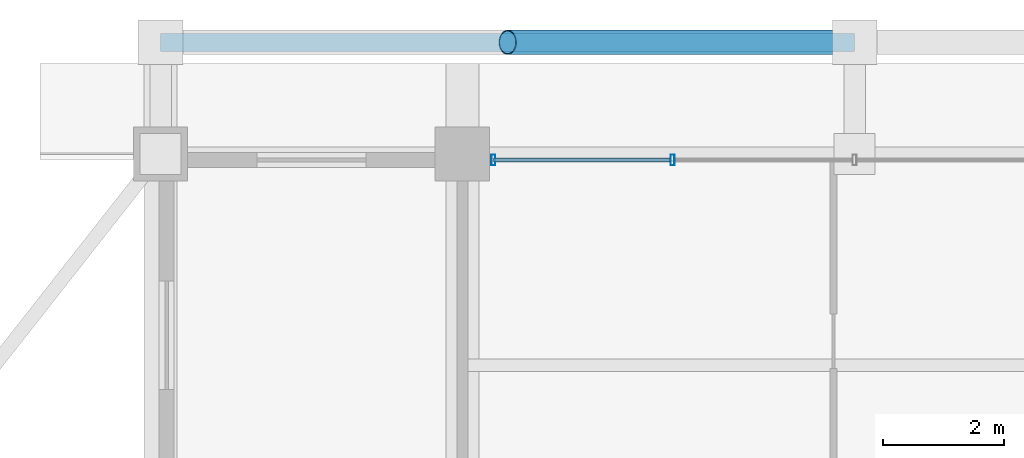
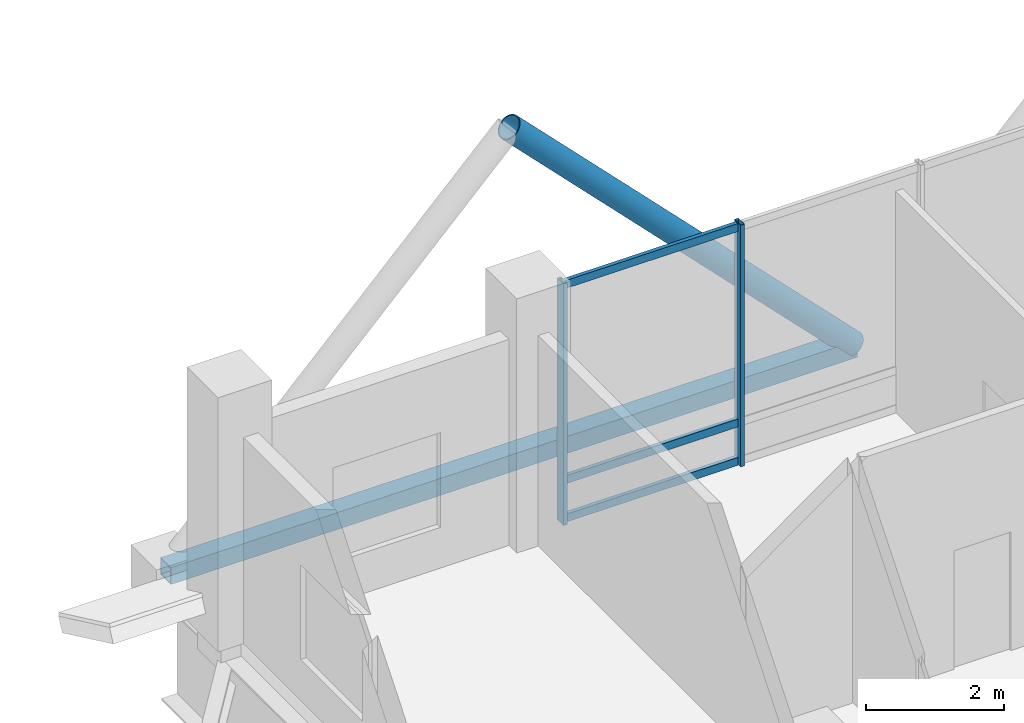
# One storey, part 16 of 27: 7 members, 1 element without a shape of its own.
"""IFC4 building model written with IfcOpenShell, lengths in metres."""

import ifcopenshell
import ifcopenshell.guid

model = None  # the IFC model being written
_history = None  # IfcOwnerHistory: only IFC2X3 demands one
_inside = {}  # id of a spatial element -> (the spatial element, [elements in it])
_under = {}  # id of a project, library or spatial element -> (it, [spatial elements below it])
_declared = {}  # id of a project -> (the project, [libraries it declares])
_typed = {}  # id of a type object -> (the type object, [elements of that type])
_made_of = {}  # id of a material, layer set ... -> (it, [elements and type objects made of it])


def new_model(schema):
    """Start an empty IFC model of exactly this schema.

    Asked for "IFC4X3", IfcOpenShell would pick the latest addendum, in which some entities
    have other attributes; the version numbers below select the first issue.
    IFC2X3 requires an IfcOwnerHistory on every rooted entity: one is made here for all.
    """
    global model, _history
    if schema == "IFC4X3":
        model = ifcopenshell.file(schema_version=(4, 3, 0, 0))
    else:
        model = ifcopenshell.file(schema=schema)
    _inside.clear()
    _under.clear()
    _declared.clear()
    _typed.clear()
    _made_of.clear()
    _history = None
    if model.schema == "IFC2X3":
        org = make("IfcOrganization", Name="unknown")
        user = make(
            "IfcPersonAndOrganization",
            ThePerson=make("IfcPerson", FamilyName="unknown"),
            TheOrganization=org,
        )
        app = make(
            "IfcApplication",
            ApplicationDeveloper=org,
            Version="unknown",
            ApplicationFullName="unknown",
            ApplicationIdentifier="unknown",
        )
        _history = make(
            "IfcOwnerHistory",
            OwningUser=user,
            OwningApplication=app,
            ChangeAction="ADDED",
            CreationDate=0,
        )
    return model


def make(cls, **values):
    """One entity of the class cls with the attributes given. An attribute that is None is left unset."""
    return model.create_entity(
        cls, **{name: value for name, value in values.items() if value is not None}
    )


def rooted(cls, **values):
    """An entity with a GlobalId (a new one), such as an element, a storey or a relation."""
    return make(cls, GlobalId=ifcopenshell.guid.new(), OwnerHistory=_history, **values)


def si_unit(unit_type, name, prefix=None):
    """IfcSIUnit, for example si_unit("LENGTHUNIT", "METRE", prefix="MILLI")."""
    return make("IfcSIUnit", UnitType=unit_type, Prefix=prefix, Name=name)


def assignment(units):
    """IfcUnitAssignment: the units of a project."""
    return None if units is None else make("IfcUnitAssignment", Units=units)


def point(xyz):
    """IfcCartesianPoint."""
    return None if xyz is None else make("IfcCartesianPoint", Coordinates=xyz)


def direction(xyz):
    """IfcDirection."""
    return None if xyz is None else make("IfcDirection", DirectionRatios=xyz)


def frame(location, z_axis=None, x_axis=None):
    """IfcAxis2Placement3D, a coordinate frame: its origin and axes. An axis left out is left unset."""
    return make(
        "IfcAxis2Placement3D",
        Location=point(location),
        Axis=direction(z_axis),
        RefDirection=direction(x_axis),
    )


def frame_2d(location, x_axis=None):
    """IfcAxis2Placement2D, a coordinate frame in the plane: its origin and x axis."""
    return make(
        "IfcAxis2Placement2D", Location=point(location), RefDirection=direction(x_axis)
    )


def origin():
    """The frame at (0, 0, 0) with its axes left unset."""
    return frame((0.0, 0.0, 0.0))


def origin_2d():
    """The frame at (0, 0) in the plane with its x axis left unset."""
    return frame_2d((0.0, 0.0))


def place(relative_to, where):
    """IfcLocalPlacement: puts the frame where relative to a parent placement (None: the world)."""
    return make(
        "IfcLocalPlacement", PlacementRelTo=relative_to, RelativePlacement=where
    )


def context(
    kind, dimensions, precision=None, world=None, true_north=None, identifier=None
):
    """IfcGeometricRepresentationContext, for example the 3D "Model" context."""
    return make(
        "IfcGeometricRepresentationContext",
        ContextIdentifier=identifier,
        ContextType=kind,
        CoordinateSpaceDimension=dimensions,
        Precision=precision,
        WorldCoordinateSystem=world,
        TrueNorth=true_north,
    )


def subcontext(parent, identifier, kind, view, scale=None):
    """IfcGeometricRepresentationSubContext, for example "Body" below "Model"."""
    return make(
        "IfcGeometricRepresentationSubContext",
        ContextIdentifier=identifier,
        ContextType=kind,
        ParentContext=parent,
        TargetScale=scale,
        TargetView=view,
    )


def project(units=None, contexts=None):
    """IfcProject with its units and contexts."""
    return rooted(
        "IfcProject",
        Name="project",
        RepresentationContexts=contexts,
        UnitsInContext=assignment(units),
    )


def spatial(cls, under=None, at=None, **own):
    """A site, building, storey or space (cls), placed at a placement, below another one or the project."""
    s = rooted(cls, ObjectPlacement=at, **own)
    if under is not None:
        _under.setdefault(under.id(), (under, []))[1].append(s)
    return s


def profile(cls, at=None, kind="AREA", **sizes):
    """A parametric profile (cls). Its sizes go by their IFC names, for example OverallWidth=200.0."""
    return make(cls, ProfileType=kind, Position=at, **sizes)


def hollow_rectangle(**sizes):
    """IfcRectangleHollowProfileDef."""
    return profile("IfcRectangleHollowProfileDef", **sizes)


def hollow_circle(**sizes):
    """IfcCircleHollowProfileDef."""
    return profile("IfcCircleHollowProfileDef", **sizes)


def extrude(swept, where, along, depth):
    """IfcExtrudedAreaSolid: the profile swept, set in the frame where, extruded along a direction by depth."""
    return make(
        "IfcExtrudedAreaSolid",
        SweptArea=swept,
        Position=where,
        ExtrudedDirection=direction(along),
        Depth=depth,
    )


def shape(context_of_items, identifier, shape_type, items):
    """IfcShapeRepresentation: the items that make up one representation, for example the "Body"."""
    return make(
        "IfcShapeRepresentation",
        ContextOfItems=context_of_items,
        RepresentationIdentifier=identifier,
        RepresentationType=shape_type,
        Items=items,
    )


def material(Name=None, Category=None):
    """IfcMaterial."""
    return make("IfcMaterial", Name=Name, Category=Category)


def layer(
    of_material, thickness, ventilated=None, Name=None, Category=None, Priority=None
):
    """IfcMaterialLayer: one layer of a wall or slab, of a material (None: an air gap)."""
    return make(
        "IfcMaterialLayer",
        Material=of_material,
        LayerThickness=thickness,
        IsVentilated=ventilated,
        Name=Name,
        Category=Category,
        Priority=Priority,
    )


def layer_set(layers, Name=None):
    """IfcMaterialLayerSet."""
    return make("IfcMaterialLayerSet", MaterialLayers=layers, LayerSetName=Name)


def material_profile(
    of_material, cross_section, Name=None, Category=None, Priority=None
):
    """IfcMaterialProfile: a cross section and its material."""
    return make(
        "IfcMaterialProfile",
        Name=Name,
        Material=of_material,
        Profile=cross_section,
        Priority=Priority,
        Category=Category,
    )


def profile_set(profiles, Name=None, composite=None):
    """IfcMaterialProfileSet."""
    return make(
        "IfcMaterialProfileSet",
        Name=Name,
        MaterialProfiles=profiles,
        CompositeProfile=composite,
    )


def made_of(thing, what):
    """Note that an element or type object is made of a material, layer set ...; save() writes the relation."""
    if what is not None:
        _made_of.setdefault(what.id(), (what, []))[1].append(thing)
    return thing


def type_object(cls, material=None, **own):
    """A type object (cls), such as IfcWallType, which elements share."""
    return made_of(rooted(cls, **own), material)


def element(
    cls,
    number,
    at=None,
    inside=None,
    cuts=None,
    type_object=None,
    material=None,
    context=None,
    identifier="Body",
    shape_type=None,
    held_by="IfcProductDefinitionShape",
    body=None,
    shapes=None,
    **own,
):
    """One element of the class cls, such as IfcWall. Its Tag is "e" and its number.

    at: its placement. inside: the storey or other place that contains it. cuts: it is an
    opening in that element (IfcRelVoidsElement). A single representation is given by context,
    identifier, shape_type and body (its items); several are given by shapes. held_by: the class
    of the entity that holds the representations. save() writes the other relations.
    """
    e = rooted(cls, Tag="e%d" % number, ObjectPlacement=at, **own)
    if body is not None:
        shapes = [shape(context, identifier, shape_type, body)]
    if shapes is not None:
        e.Representation = make(held_by, Representations=shapes)
    if inside is not None:
        _inside.setdefault(inside.id(), (inside, []))[1].append(e)
    if cuts is not None:
        rooted(
            "IfcRelVoidsElement", RelatingBuildingElement=cuts, RelatedOpeningElement=e
        )
    if type_object is not None:
        _typed.setdefault(type_object.id(), (type_object, []))[1].append(e)
    return made_of(e, material)


def aggregate(whole, parts):
    """IfcRelAggregates: a whole, such as a stair, and the parts it consists of."""
    return rooted("IfcRelAggregates", RelatingObject=whole, RelatedObjects=parts)


def save(model, path):
    """Write the relations noted so far, then the file.

    IfcRelAggregates (storeys below a building ...), IfcRelContainedInSpatialStructure (elements
    in a storey), IfcRelDefinesByType, IfcRelAssociatesMaterial and IfcRelDeclares: one each for
    every whole, place, type object, material and project.
    """
    for whole, parts in _under.values():
        aggregate(whole, parts)
    for where, things in _inside.values():
        rooted(
            "IfcRelContainedInSpatialStructure",
            RelatedElements=things,
            RelatingStructure=where,
        )
    for kind, things in _typed.values():
        rooted("IfcRelDefinesByType", RelatedObjects=things, RelatingType=kind)
    for what, things in _made_of.values():
        rooted("IfcRelAssociatesMaterial", RelatedObjects=things, RelatingMaterial=what)
    for by, libraries in _declared.values():
        rooted("IfcRelDeclares", RelatingContext=by, RelatedDefinitions=libraries)
    model.write(path)


model = new_model("IFC4")

# Units and contexts
model_context = context("Model", 3, precision=1e-05, world=origin(), true_north=direction((0.0, 1.0)))
body_context = subcontext(model_context, "Body", "Model", "MODEL_VIEW")
ifc_project = project(units=[si_unit("LENGTHUNIT", "METRE"), si_unit("AREAUNIT", "SQUARE_METRE"), si_unit("VOLUMEUNIT", "CUBIC_METRE"), si_unit("PLANEANGLEUNIT", "RADIAN"), si_unit("MASSUNIT", "GRAM", prefix="KILO")], contexts=[model_context])

# Site, building, storey
site_placement = place(None, origin())
site = spatial("IfcSite", under=ifc_project, at=site_placement, CompositionType="ELEMENT")
building_placement = place(site_placement, origin())
building = spatial("IfcBuilding", under=site, at=building_placement, Name="Barlavira Tower and Art Museum", CompositionType="ELEMENT")
storey_placement = place(building_placement, frame((0.0, 0.0, 217.800048828125)))
storey = spatial("IfcBuildingStorey", under=building, at=storey_placement, Name="L56", CompositionType="ELEMENT", Elevation=217.800048828125)

# Curtain wall, members
ifc_material_1 = material(Name="Low-iron coastal laminated glass", Category="glass")
ifc_layer = layer(ifc_material_1, 0.2099609375, Name="Low-iron coastal laminated glass")
ifc_layer_set = layer_set([ifc_layer], Name="Low-iron coastal laminated glass")
curtain_wall_type = type_object("IfcCurtainWallType", Name="Pale-Metal Unitised Curtain Wall Zone 4", PredefinedType="NOTDEFINED", material=ifc_layer_set)
curtain_wall_placement = place(storey_placement, origin())
curtain_wall = element("IfcCurtainWall", 1, at=curtain_wall_placement, inside=storey, type_object=curtain_wall_type, Name="L56 Curtain Wall CW4-L56-N-B2", PredefinedType="NOTDEFINED")
ifc_material_2 = material(Name="Pale anodised aluminium", Category="aluminium")
ifc_material_profile_1 = material_profile(ifc_material_2, hollow_rectangle(XDim=0.06494140625, YDim=0.179931640625, WallThickness=0.00390625, at=origin_2d()), Name="ALU-MULL 65x180x4")
ifc_profile_set_1 = profile_set([ifc_material_profile_1], Name="Pale anodised aluminium")
member_type_1 = type_object("IfcMemberType", Name="Curtain Wall Pale-Metal Mullion 65x180", PredefinedType="MULLION", material=ifc_profile_set_1)
member_1_placement = place(storey_placement, frame((-3.014892578125, 19.89990234375, 0.0), z_axis=(0.0, 0.0, 1.0), x_axis=(-1.0, 0.0, 0.0)))
member_1 = element("IfcMember", 2, at=member_1_placement, type_object=member_type_1, Name="CW4-L56-N-B2 Mullion 3", PredefinedType="MULLION", context=body_context, shape_type="SweptSolid", body=[
    extrude(hollow_rectangle(XDim=0.06494140625, YDim=0.179931640625, WallThickness=0.00390625, at=origin_2d()), origin(), (0.0, 0.0, 1.0), 4.280029296875),
])
member_2_placement = place(storey_placement, frame((-5.985107421875, 19.89990234375, 0.0), z_axis=(0.0, 0.0, 1.0), x_axis=(-1.0, 0.0, 0.0)))
member_2 = element("IfcMember", 3, at=member_2_placement, type_object=member_type_1, Name="CW4-L56-N-B2 Mullion 4", PredefinedType="MULLION", context=body_context, shape_type="SweptSolid", body=[
    extrude(hollow_rectangle(XDim=0.06494140625, YDim=0.179931640625, WallThickness=0.00390625, at=origin_2d()), origin(), (0.0, 0.0, 1.0), 4.280029296875),
])
ifc_material_profile_2 = material_profile(ifc_material_2, hollow_rectangle(XDim=0.06494140625, YDim=0.139892578125, WallThickness=0.00390625, at=origin_2d()), Name="ALU-TRAN 65x140x4")
ifc_profile_set_2 = profile_set([ifc_material_profile_2], Name="Pale anodised aluminium")
member_type_2 = type_object("IfcMemberType", Name="Curtain Wall Pale-Metal Transom 65x140", PredefinedType="USERDEFINED", material=ifc_profile_set_2)
member_3_placement = place(storey_placement, frame((-3.06005859375, 19.89990234375, 0.070068359375), z_axis=(-1.0, 0.0, 0.0), x_axis=(0.0, -1.0, 0.0)))
member_3 = element("IfcMember", 4, at=member_3_placement, type_object=member_type_2, Name="CW4-L56-N-B2 Transom 3.1", ObjectType="TRANSOM", PredefinedType="USERDEFINED", context=body_context, shape_type="SweptSolid", body=[
    extrude(hollow_rectangle(XDim=0.06494140625, YDim=0.139892578125, WallThickness=0.00390625, at=origin_2d()), origin(), (0.0, 0.0, 1.0), 2.925048828125),
])
member_4_placement = place(storey_placement, frame((-3.06005859375, 19.89990234375, 0.75), z_axis=(-1.0, 0.0, 0.0), x_axis=(0.0, -1.0, 0.0)))
member_4 = element("IfcMember", 5, at=member_4_placement, type_object=member_type_2, Name="CW4-L56-N-B2 Transom 3.2", ObjectType="TRANSOM", PredefinedType="USERDEFINED", context=body_context, shape_type="SweptSolid", body=[
    extrude(hollow_rectangle(XDim=0.06494140625, YDim=0.139892578125, WallThickness=0.00390625, at=origin_2d()), origin(), (0.0, 0.0, 1.0), 2.925048828125),
])
member_5_placement = place(storey_placement, frame((-3.06005859375, 19.89990234375, 4.2099609375), z_axis=(-1.0, 0.0, 0.0), x_axis=(0.0, -1.0, 0.0)))
member_5 = element("IfcMember", 6, at=member_5_placement, type_object=member_type_2, Name="CW4-L56-N-B2 Transom 3.3", ObjectType="TRANSOM", PredefinedType="USERDEFINED", context=body_context, shape_type="SweptSolid", body=[
    extrude(hollow_rectangle(XDim=0.06494140625, YDim=0.139892578125, WallThickness=0.00390625, at=origin_2d()), origin(), (0.0, 0.0, 1.0), 2.925048828125),
])
aggregate(curtain_wall, [member_1, member_2, member_3, member_4, member_5])

# Members
ifc_material_3 = material(Name="Steel S355", Category="steel")
ifc_material_profile_3 = material_profile(ifc_material_3, hollow_circle(Radius=0.203125, WallThickness=0.01611328125, at=origin_2d()), Name="CHS 406.4x16.0")
ifc_profile_set_3 = profile_set([ifc_material_profile_3], Name="Steel S355")
member_type_3 = type_object("IfcMemberType", Name="Pale-Metal Exoskeleton Diagrid Tube CHS 406x16 Steel S355", PredefinedType="BRACE", material=ifc_profile_set_3)
member_6_placement = place(storey_placement, frame((0.0, 21.85009765625, -0.1201171875), z_axis=(-0.700979034508, 0.0, 0.713181879453), x_axis=(0.0, -1.0, 0.0)))
element("IfcMember", 7, at=member_6_placement, inside=storey, type_object=member_type_3, Name="L56 Exoskeleton Diagrid Tube N", PredefinedType="BRACE", context=body_context, shape_type="SweptSolid", body=[
    extrude(hollow_circle(Radius=0.203125, WallThickness=0.01611328125, at=origin_2d()), origin(), (0.0, 0.0, 1.0), 8.202880859375),
])
ifc_material_profile_4 = material_profile(ifc_material_3, hollow_rectangle(XDim=0.300048828125, YDim=0.300048828125, WallThickness=0.01611328125, at=origin_2d()), Name="SHS 300x300x16.0")
ifc_profile_set_4 = profile_set([ifc_material_profile_4], Name="Steel S355")
member_type_4 = type_object("IfcMemberType", Name="Pale-Metal Upper Ring Strut SHS 300x300x16 Steel S355", PredefinedType="STRUT", material=ifc_profile_set_4)
member_7_placement = place(storey_placement, frame((-11.5, 21.85009765625, -0.1201171875), z_axis=(1.0, 0.0, 0.0), x_axis=(0.0, 1.0, 0.0)))
element("IfcMember", 8, at=member_7_placement, inside=storey, type_object=member_type_4, Name="L56 Exoskeleton Ring Strut N", PredefinedType="STRUT", context=body_context, shape_type="SweptSolid", body=[
    extrude(hollow_rectangle(XDim=0.300048828125, YDim=0.300048828125, WallThickness=0.01611328125, at=origin_2d()), origin(), (0.0, 0.0, 1.0), 11.5),
])

save(model, "model.ifc")
